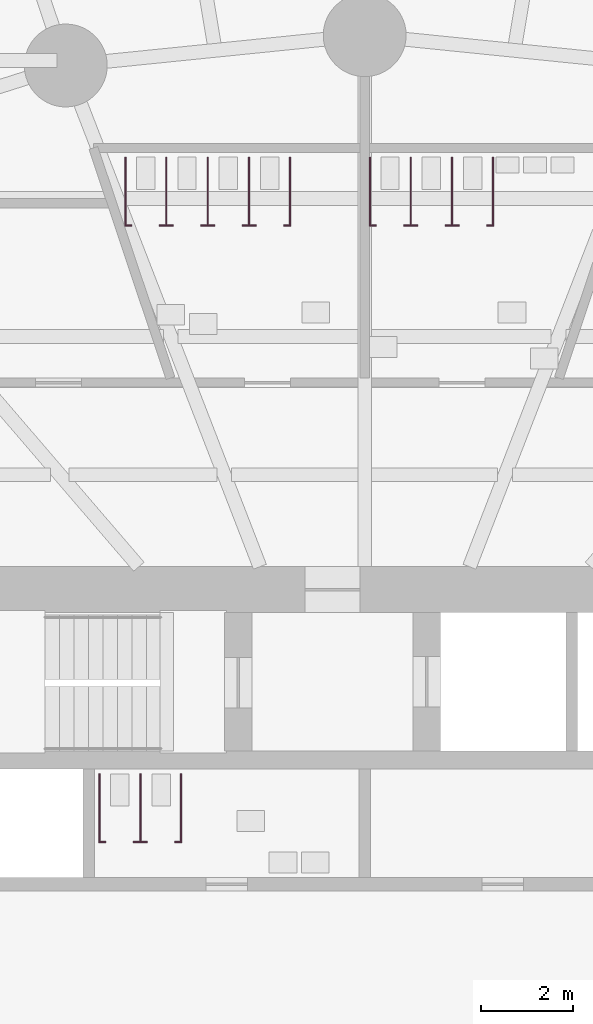
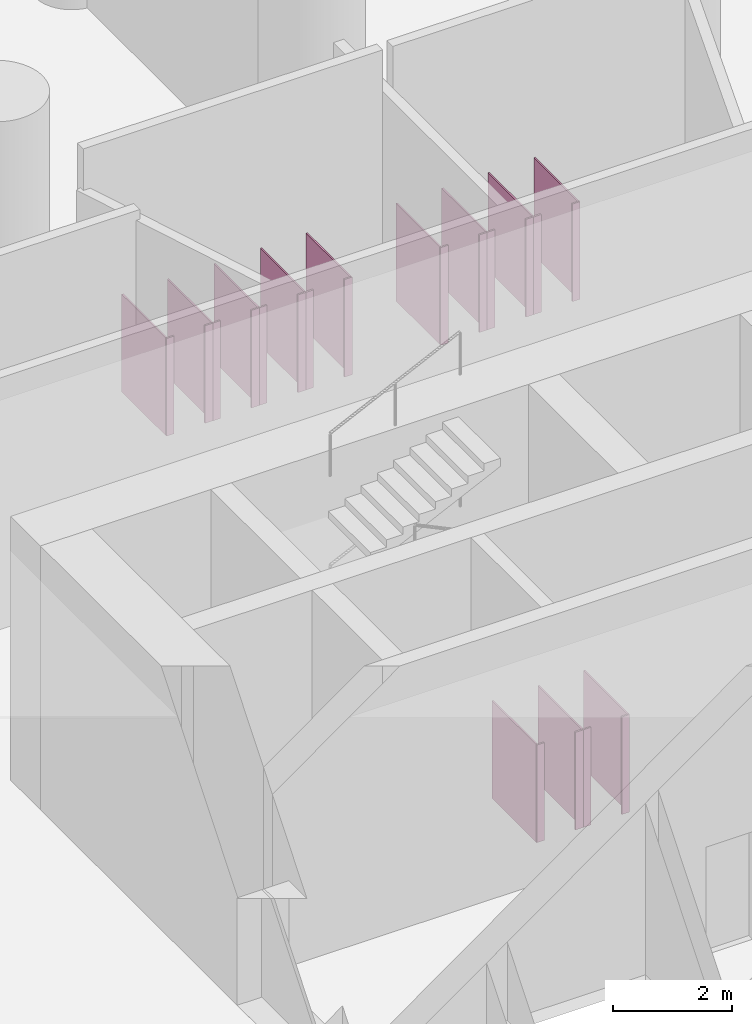
# One storey, part 21 of 21: 30 furniture elements.
"""IFC4 building model written with IfcOpenShell, lengths in metres."""

import ifcopenshell
import ifcopenshell.guid

model = None  # the IFC model being written
_history = None  # IfcOwnerHistory: only IFC2X3 demands one
_inside = {}  # id of a spatial element -> (the spatial element, [elements in it])
_under = {}  # id of a project, library or spatial element -> (it, [spatial elements below it])
_declared = {}  # id of a project -> (the project, [libraries it declares])
_typed = {}  # id of a type object -> (the type object, [elements of that type])
_made_of = {}  # id of a material, layer set ... -> (it, [elements and type objects made of it])


def new_model(schema):
    """Start an empty IFC model of exactly this schema.

    Asked for "IFC4X3", IfcOpenShell would pick the latest addendum, in which some entities
    have other attributes; the version numbers below select the first issue.
    IFC2X3 requires an IfcOwnerHistory on every rooted entity: one is made here for all.
    """
    global model, _history
    if schema == "IFC4X3":
        model = ifcopenshell.file(schema_version=(4, 3, 0, 0))
    else:
        model = ifcopenshell.file(schema=schema)
    _inside.clear()
    _under.clear()
    _declared.clear()
    _typed.clear()
    _made_of.clear()
    _history = None
    if model.schema == "IFC2X3":
        org = make("IfcOrganization", Name="unknown")
        user = make(
            "IfcPersonAndOrganization",
            ThePerson=make("IfcPerson", FamilyName="unknown"),
            TheOrganization=org,
        )
        app = make(
            "IfcApplication",
            ApplicationDeveloper=org,
            Version="unknown",
            ApplicationFullName="unknown",
            ApplicationIdentifier="unknown",
        )
        _history = make(
            "IfcOwnerHistory",
            OwningUser=user,
            OwningApplication=app,
            ChangeAction="ADDED",
            CreationDate=0,
        )
    return model


def make(cls, **values):
    """One entity of the class cls with the attributes given. An attribute that is None is left unset."""
    return model.create_entity(
        cls, **{name: value for name, value in values.items() if value is not None}
    )


def rooted(cls, **values):
    """An entity with a GlobalId (a new one), such as an element, a storey or a relation."""
    return make(cls, GlobalId=ifcopenshell.guid.new(), OwnerHistory=_history, **values)


def si_unit(unit_type, name, prefix=None):
    """IfcSIUnit, for example si_unit("LENGTHUNIT", "METRE", prefix="MILLI")."""
    return make("IfcSIUnit", UnitType=unit_type, Prefix=prefix, Name=name)


def assignment(units):
    """IfcUnitAssignment: the units of a project."""
    return None if units is None else make("IfcUnitAssignment", Units=units)


def point(xyz):
    """IfcCartesianPoint."""
    return None if xyz is None else make("IfcCartesianPoint", Coordinates=xyz)


def direction(xyz):
    """IfcDirection."""
    return None if xyz is None else make("IfcDirection", DirectionRatios=xyz)


def frame(location, z_axis=None, x_axis=None):
    """IfcAxis2Placement3D, a coordinate frame: its origin and axes. An axis left out is left unset."""
    return make(
        "IfcAxis2Placement3D",
        Location=point(location),
        Axis=direction(z_axis),
        RefDirection=direction(x_axis),
    )


def frame_2d(location, x_axis=None):
    """IfcAxis2Placement2D, a coordinate frame in the plane: its origin and x axis."""
    return make(
        "IfcAxis2Placement2D", Location=point(location), RefDirection=direction(x_axis)
    )


def origin():
    """The frame at (0, 0, 0) with its axes left unset."""
    return frame((0.0, 0.0, 0.0))


def origin_2d():
    """The frame at (0, 0) in the plane with its x axis left unset."""
    return frame_2d((0.0, 0.0))


def place(relative_to, where):
    """IfcLocalPlacement: puts the frame where relative to a parent placement (None: the world)."""
    return make(
        "IfcLocalPlacement", PlacementRelTo=relative_to, RelativePlacement=where
    )


def context(
    kind, dimensions, precision=None, world=None, true_north=None, identifier=None
):
    """IfcGeometricRepresentationContext, for example the 3D "Model" context."""
    return make(
        "IfcGeometricRepresentationContext",
        ContextIdentifier=identifier,
        ContextType=kind,
        CoordinateSpaceDimension=dimensions,
        Precision=precision,
        WorldCoordinateSystem=world,
        TrueNorth=true_north,
    )


def subcontext(parent, identifier, kind, view, scale=None):
    """IfcGeometricRepresentationSubContext, for example "Body" below "Model"."""
    return make(
        "IfcGeometricRepresentationSubContext",
        ContextIdentifier=identifier,
        ContextType=kind,
        ParentContext=parent,
        TargetScale=scale,
        TargetView=view,
    )


def project(units=None, contexts=None):
    """IfcProject with its units and contexts."""
    return rooted(
        "IfcProject",
        Name="project",
        RepresentationContexts=contexts,
        UnitsInContext=assignment(units),
    )


def spatial(cls, under=None, at=None, **own):
    """A site, building, storey or space (cls), placed at a placement, below another one or the project."""
    s = rooted(cls, ObjectPlacement=at, **own)
    if under is not None:
        _under.setdefault(under.id(), (under, []))[1].append(s)
    return s


def profile(cls, at=None, kind="AREA", **sizes):
    """A parametric profile (cls). Its sizes go by their IFC names, for example OverallWidth=200.0."""
    return make(cls, ProfileType=kind, Position=at, **sizes)


def rectangle(**sizes):
    """IfcRectangleProfileDef."""
    return profile("IfcRectangleProfileDef", **sizes)


def extrude(swept, where, along, depth):
    """IfcExtrudedAreaSolid: the profile swept, set in the frame where, extruded along a direction by depth."""
    return make(
        "IfcExtrudedAreaSolid",
        SweptArea=swept,
        Position=where,
        ExtrudedDirection=direction(along),
        Depth=depth,
    )


def shape(context_of_items, identifier, shape_type, items):
    """IfcShapeRepresentation: the items that make up one representation, for example the "Body"."""
    return make(
        "IfcShapeRepresentation",
        ContextOfItems=context_of_items,
        RepresentationIdentifier=identifier,
        RepresentationType=shape_type,
        Items=items,
    )


def made_of(thing, what):
    """Note that an element or type object is made of a material, layer set ...; save() writes the relation."""
    if what is not None:
        _made_of.setdefault(what.id(), (what, []))[1].append(thing)
    return thing


def element(
    cls,
    number,
    at=None,
    inside=None,
    cuts=None,
    type_object=None,
    material=None,
    context=None,
    identifier="Body",
    shape_type=None,
    held_by="IfcProductDefinitionShape",
    body=None,
    shapes=None,
    **own,
):
    """One element of the class cls, such as IfcWall. Its Tag is "e" and its number.

    at: its placement. inside: the storey or other place that contains it. cuts: it is an
    opening in that element (IfcRelVoidsElement). A single representation is given by context,
    identifier, shape_type and body (its items); several are given by shapes. held_by: the class
    of the entity that holds the representations. save() writes the other relations.
    """
    e = rooted(cls, Tag="e%d" % number, ObjectPlacement=at, **own)
    if body is not None:
        shapes = [shape(context, identifier, shape_type, body)]
    if shapes is not None:
        e.Representation = make(held_by, Representations=shapes)
    if inside is not None:
        _inside.setdefault(inside.id(), (inside, []))[1].append(e)
    if cuts is not None:
        rooted(
            "IfcRelVoidsElement", RelatingBuildingElement=cuts, RelatedOpeningElement=e
        )
    if type_object is not None:
        _typed.setdefault(type_object.id(), (type_object, []))[1].append(e)
    return made_of(e, material)


def aggregate(whole, parts):
    """IfcRelAggregates: a whole, such as a stair, and the parts it consists of."""
    return rooted("IfcRelAggregates", RelatingObject=whole, RelatedObjects=parts)


def save(model, path):
    """Write the relations noted so far, then the file.

    IfcRelAggregates (storeys below a building ...), IfcRelContainedInSpatialStructure (elements
    in a storey), IfcRelDefinesByType, IfcRelAssociatesMaterial and IfcRelDeclares: one each for
    every whole, place, type object, material and project.
    """
    for whole, parts in _under.values():
        aggregate(whole, parts)
    for where, things in _inside.values():
        rooted(
            "IfcRelContainedInSpatialStructure",
            RelatedElements=things,
            RelatingStructure=where,
        )
    for kind, things in _typed.values():
        rooted("IfcRelDefinesByType", RelatedObjects=things, RelatingType=kind)
    for what, things in _made_of.values():
        rooted("IfcRelAssociatesMaterial", RelatedObjects=things, RelatingMaterial=what)
    for by, libraries in _declared.values():
        rooted("IfcRelDeclares", RelatingContext=by, RelatedDefinitions=libraries)
    model.write(path)


model = new_model("IFC4")

# Units and contexts
model_context = context("Model", 3, precision=1e-05, world=origin(), true_north=direction((0.0, 1.0)))
body_context = subcontext(model_context, "Body", "Model", "MODEL_VIEW")
ifc_project = project(units=[si_unit("LENGTHUNIT", "METRE"), si_unit("AREAUNIT", "SQUARE_METRE"), si_unit("VOLUMEUNIT", "CUBIC_METRE"), si_unit("PLANEANGLEUNIT", "RADIAN"), si_unit("MASSUNIT", "GRAM", prefix="KILO")], contexts=[model_context])

# Site, building, storey
site_placement = place(None, origin())
site = spatial("IfcSite", under=ifc_project, at=site_placement, CompositionType="ELEMENT")
building_placement = place(site_placement, origin())
building = spatial("IfcBuilding", under=site, at=building_placement, Name="Hankou Lantern Tower", CompositionType="ELEMENT")
storey_placement = place(building_placement, frame((0.0, 0.0, 13.800048828125)))
storey = spatial("IfcBuildingStorey", under=building, at=storey_placement, Name="L02", CompositionType="ELEMENT", Elevation=13.800048828125)

# Furniture
for number, where, z_axis, x_axis, name in (
    (1, (0.114990234375, 16.6650390625, 0.0), (0.0, 0.0, 1.0), (1.0, 0.0, 0.0), "Male WC cubicle partition 1"),
    (2, (1.0, 16.6650390625, 0.0), (0.0, 0.0, 1.0), (1.0, 0.0, 0.0), "Male WC cubicle partition 2"),
    (3, (1.89990234375, 16.6650390625, 0.0), (0.0, 0.0, 1.0), (1.0, 0.0, 0.0), "Male WC cubicle partition 3"),
    (4, (2.784912109375, 16.6650390625, 0.0), (0.0, 0.0, 1.0), (1.0, 0.0, 0.0), "Male WC cubicle partition 4"),
):
    element("IfcFurniture", number, at=place(storey_placement, frame(where, z_axis=z_axis, x_axis=x_axis)), inside=storey, Name=name, ObjectType="WC cubicle partition", PredefinedType="USERDEFINED", context=body_context, shape_type="SweptSolid", body=[
        extrude(rectangle(XDim=0.030029296875, YDim=1.469970703125, at=origin_2d()), origin(), (0.0, 0.0, 1.0), 2.0),
    ])
for number, where, z_axis, x_axis, name in (
    (5, (0.175048828125, 15.9150390625, 0.0), (0.0, 0.0, 1.0), (1.0, 0.0, 0.0), "Male WC cubicle partition 5"),
    (6, (0.925048828125, 15.9150390625, 0.0), (0.0, 0.0, 1.0), (1.0, 0.0, 0.0), "Male WC cubicle partition 6"),
    (7, (1.074951171875, 15.9150390625, 0.0), (0.0, 0.0, 1.0), (1.0, 0.0, 0.0), "Male WC cubicle partition 7"),
    (8, (1.824951171875, 15.9150390625, 0.0), (0.0, 0.0, 1.0), (1.0, 0.0, 0.0), "Male WC cubicle partition 8"),
    (9, (1.97509765625, 15.9150390625, 0.0), (0.0, 0.0, 1.0), (1.0, 0.0, 0.0), "Male WC cubicle partition 9"),
    (10, (2.72509765625, 15.9150390625, 0.0), (0.0, 0.0, 1.0), (1.0, 0.0, 0.0), "Male WC cubicle partition 10"),
):
    element("IfcFurniture", number, at=place(storey_placement, frame(where, z_axis=z_axis, x_axis=x_axis)), inside=storey, Name=name, ObjectType="WC cubicle partition", PredefinedType="USERDEFINED", context=body_context, shape_type="SweptSolid", body=[
        extrude(rectangle(XDim=0.14990234375, YDim=0.030029296875, at=origin_2d()), origin(), (0.0, 0.0, 1.0), 2.0),
    ])
for number, where, z_axis, x_axis, name in (
    (11, (-5.1962890625, 16.6650390625, 0.0), (0.0, 0.0, 1.0), (1.0, 0.0, 0.0), "Female WC cubicle partition 1"),
    (12, (-4.311279296875, 16.6650390625, 0.0), (0.0, 0.0, 1.0), (1.0, 0.0, 0.0), "Female WC cubicle partition 2"),
    (13, (-3.411376953125, 16.6650390625, 0.0), (0.0, 0.0, 1.0), (1.0, 0.0, 0.0), "Female WC cubicle partition 3"),
    (14, (-2.511474609375, 16.6650390625, 0.0), (0.0, 0.0, 1.0), (1.0, 0.0, 0.0), "Female WC cubicle partition 4"),
    (15, (-1.62646484375, 16.6650390625, 0.0), (0.0, 0.0, 1.0), (1.0, 0.0, 0.0), "Female WC cubicle partition 5"),
):
    element("IfcFurniture", number, at=place(storey_placement, frame(where, z_axis=z_axis, x_axis=x_axis)), inside=storey, Name=name, ObjectType="WC cubicle partition", PredefinedType="USERDEFINED", context=body_context, shape_type="SweptSolid", body=[
        extrude(rectangle(XDim=0.030029296875, YDim=1.469970703125, at=origin_2d()), origin(), (0.0, 0.0, 1.0), 2.0),
    ])
for number, where, z_axis, x_axis, name in (
    (16, (-5.136474609375, 15.9150390625, 0.0), (0.0, 0.0, 1.0), (1.0, 0.0, 0.0), "Female WC cubicle partition 6"),
    (17, (-4.386474609375, 15.9150390625, 0.0), (0.0, 0.0, 1.0), (1.0, 0.0, 0.0), "Female WC cubicle partition 7"),
    (18, (-4.236328125, 15.9150390625, 0.0), (0.0, 0.0, 1.0), (1.0, 0.0, 0.0), "Female WC cubicle partition 8"),
    (19, (-3.486328125, 15.9150390625, 0.0), (0.0, 0.0, 1.0), (1.0, 0.0, 0.0), "Female WC cubicle partition 9"),
    (20, (-3.33642578125, 15.9150390625, 0.0), (0.0, 0.0, 1.0), (1.0, 0.0, 0.0), "Female WC cubicle partition 10"),
    (21, (-2.58642578125, 15.9150390625, 0.0), (0.0, 0.0, 1.0), (1.0, 0.0, 0.0), "Female WC cubicle partition 11"),
    (22, (-2.436279296875, 15.9150390625, 0.0), (0.0, 0.0, 1.0), (1.0, 0.0, 0.0), "Female WC cubicle partition 12"),
    (23, (-1.686279296875, 15.9150390625, 0.0), (0.0, 0.0, 1.0), (1.0, 0.0, 0.0), "Female WC cubicle partition 13"),
):
    element("IfcFurniture", number, at=place(storey_placement, frame(where, z_axis=z_axis, x_axis=x_axis)), inside=storey, Name=name, ObjectType="WC cubicle partition", PredefinedType="USERDEFINED", context=body_context, shape_type="SweptSolid", body=[
        extrude(rectangle(XDim=0.14990234375, YDim=0.030029296875, at=origin_2d()), origin(), (0.0, 0.0, 1.0), 2.0),
    ])
for number, where, z_axis, x_axis, name in (
    (24, (-5.760009765625, 3.264892578125, 0.0), (0.0, 0.0, 1.0), (1.0, 0.0, 0.0), "Staff WC cubicle partition 1"),
    (25, (-4.875, 3.264892578125, 0.0), (0.0, 0.0, 1.0), (1.0, 0.0, 0.0), "Staff WC cubicle partition 2"),
    (26, (-3.989990234375, 3.264892578125, 0.0), (0.0, 0.0, 1.0), (1.0, 0.0, 0.0), "Staff WC cubicle partition 3"),
):
    element("IfcFurniture", number, at=place(storey_placement, frame(where, z_axis=z_axis, x_axis=x_axis)), inside=storey, Name=name, ObjectType="WC cubicle partition", PredefinedType="USERDEFINED", context=body_context, shape_type="SweptSolid", body=[
        extrude(rectangle(XDim=0.030029296875, YDim=1.469970703125, at=origin_2d()), origin(), (0.0, 0.0, 1.0), 2.0),
    ])
for number, where, z_axis, x_axis, name in (
    (27, (-5.699951171875, 2.514892578125, 0.0), (0.0, 0.0, 1.0), (1.0, 0.0, 0.0), "Staff WC cubicle partition 4"),
    (28, (-4.949951171875, 2.514892578125, 0.0), (0.0, 0.0, 1.0), (1.0, 0.0, 0.0), "Staff WC cubicle partition 5"),
    (29, (-4.800048828125, 2.514892578125, 0.0), (0.0, 0.0, 1.0), (1.0, 0.0, 0.0), "Staff WC cubicle partition 6"),
    (30, (-4.050048828125, 2.514892578125, 0.0), (0.0, 0.0, 1.0), (1.0, 0.0, 0.0), "Staff WC cubicle partition 7"),
):
    element("IfcFurniture", number, at=place(storey_placement, frame(where, z_axis=z_axis, x_axis=x_axis)), inside=storey, Name=name, ObjectType="WC cubicle partition", PredefinedType="USERDEFINED", context=body_context, shape_type="SweptSolid", body=[
        extrude(rectangle(XDim=0.14990234375, YDim=0.030029296875, at=origin_2d()), origin(), (0.0, 0.0, 1.0), 2.0),
    ])

save(model, "model.ifc")
